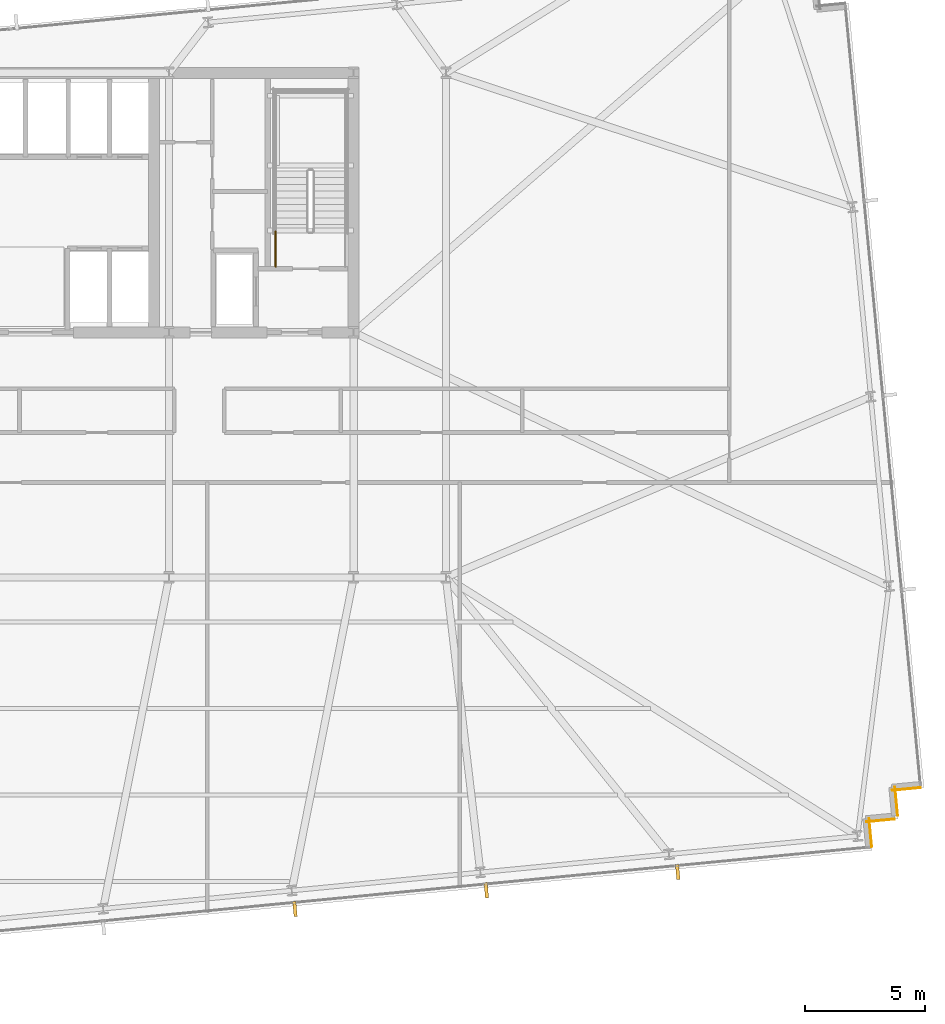
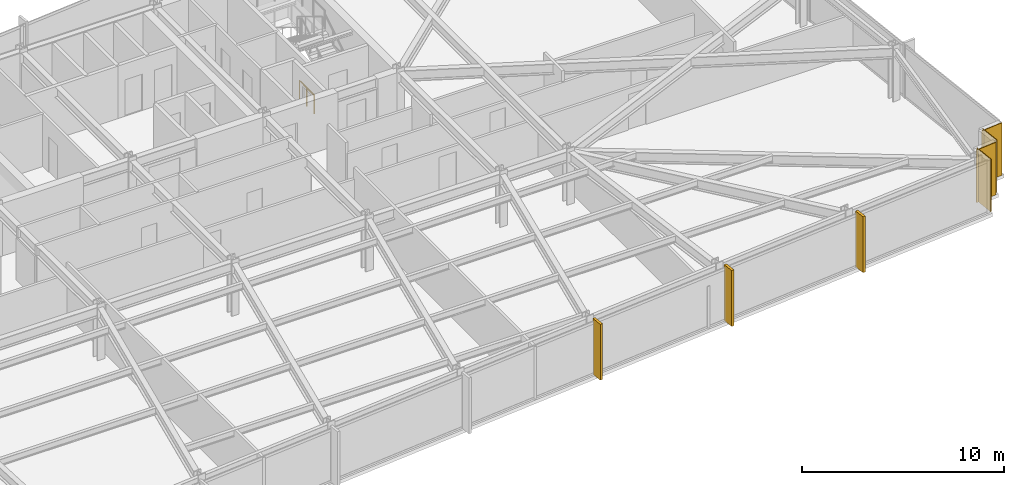
# One storey, part 29 of 32: 4 coverings, 3 shading devices, 1 railing.
"""IFC4 building model written with IfcOpenShell, lengths in metres."""

import ifcopenshell
import ifcopenshell.guid

model = None  # the IFC model being written
_history = None  # IfcOwnerHistory: only IFC2X3 demands one
_inside = {}  # id of a spatial element -> (the spatial element, [elements in it])
_under = {}  # id of a project, library or spatial element -> (it, [spatial elements below it])
_declared = {}  # id of a project -> (the project, [libraries it declares])
_typed = {}  # id of a type object -> (the type object, [elements of that type])
_made_of = {}  # id of a material, layer set ... -> (it, [elements and type objects made of it])


def new_model(schema):
    """Start an empty IFC model of exactly this schema.

    Asked for "IFC4X3", IfcOpenShell would pick the latest addendum, in which some entities
    have other attributes; the version numbers below select the first issue.
    IFC2X3 requires an IfcOwnerHistory on every rooted entity: one is made here for all.
    """
    global model, _history
    if schema == "IFC4X3":
        model = ifcopenshell.file(schema_version=(4, 3, 0, 0))
    else:
        model = ifcopenshell.file(schema=schema)
    _inside.clear()
    _under.clear()
    _declared.clear()
    _typed.clear()
    _made_of.clear()
    _history = None
    if model.schema == "IFC2X3":
        org = make("IfcOrganization", Name="unknown")
        user = make(
            "IfcPersonAndOrganization",
            ThePerson=make("IfcPerson", FamilyName="unknown"),
            TheOrganization=org,
        )
        app = make(
            "IfcApplication",
            ApplicationDeveloper=org,
            Version="unknown",
            ApplicationFullName="unknown",
            ApplicationIdentifier="unknown",
        )
        _history = make(
            "IfcOwnerHistory",
            OwningUser=user,
            OwningApplication=app,
            ChangeAction="ADDED",
            CreationDate=0,
        )
    return model


def make(cls, **values):
    """One entity of the class cls with the attributes given. An attribute that is None is left unset."""
    return model.create_entity(
        cls, **{name: value for name, value in values.items() if value is not None}
    )


def rooted(cls, **values):
    """An entity with a GlobalId (a new one), such as an element, a storey or a relation."""
    return make(cls, GlobalId=ifcopenshell.guid.new(), OwnerHistory=_history, **values)


def si_unit(unit_type, name, prefix=None):
    """IfcSIUnit, for example si_unit("LENGTHUNIT", "METRE", prefix="MILLI")."""
    return make("IfcSIUnit", UnitType=unit_type, Prefix=prefix, Name=name)


def assignment(units):
    """IfcUnitAssignment: the units of a project."""
    return None if units is None else make("IfcUnitAssignment", Units=units)


def point(xyz):
    """IfcCartesianPoint."""
    return None if xyz is None else make("IfcCartesianPoint", Coordinates=xyz)


def direction(xyz):
    """IfcDirection."""
    return None if xyz is None else make("IfcDirection", DirectionRatios=xyz)


def frame(location, z_axis=None, x_axis=None):
    """IfcAxis2Placement3D, a coordinate frame: its origin and axes. An axis left out is left unset."""
    return make(
        "IfcAxis2Placement3D",
        Location=point(location),
        Axis=direction(z_axis),
        RefDirection=direction(x_axis),
    )


def frame_2d(location, x_axis=None):
    """IfcAxis2Placement2D, a coordinate frame in the plane: its origin and x axis."""
    return make(
        "IfcAxis2Placement2D", Location=point(location), RefDirection=direction(x_axis)
    )


def origin():
    """The frame at (0, 0, 0) with its axes left unset."""
    return frame((0.0, 0.0, 0.0))


def origin_2d():
    """The frame at (0, 0) in the plane with its x axis left unset."""
    return frame_2d((0.0, 0.0))


def place(relative_to, where):
    """IfcLocalPlacement: puts the frame where relative to a parent placement (None: the world)."""
    return make(
        "IfcLocalPlacement", PlacementRelTo=relative_to, RelativePlacement=where
    )


def context(
    kind, dimensions, precision=None, world=None, true_north=None, identifier=None
):
    """IfcGeometricRepresentationContext, for example the 3D "Model" context."""
    return make(
        "IfcGeometricRepresentationContext",
        ContextIdentifier=identifier,
        ContextType=kind,
        CoordinateSpaceDimension=dimensions,
        Precision=precision,
        WorldCoordinateSystem=world,
        TrueNorth=true_north,
    )


def subcontext(parent, identifier, kind, view, scale=None):
    """IfcGeometricRepresentationSubContext, for example "Body" below "Model"."""
    return make(
        "IfcGeometricRepresentationSubContext",
        ContextIdentifier=identifier,
        ContextType=kind,
        ParentContext=parent,
        TargetScale=scale,
        TargetView=view,
    )


def project(units=None, contexts=None):
    """IfcProject with its units and contexts."""
    return rooted(
        "IfcProject",
        Name="project",
        RepresentationContexts=contexts,
        UnitsInContext=assignment(units),
    )


def spatial(cls, under=None, at=None, **own):
    """A site, building, storey or space (cls), placed at a placement, below another one or the project."""
    s = rooted(cls, ObjectPlacement=at, **own)
    if under is not None:
        _under.setdefault(under.id(), (under, []))[1].append(s)
    return s


def profile(cls, at=None, kind="AREA", **sizes):
    """A parametric profile (cls). Its sizes go by their IFC names, for example OverallWidth=200.0."""
    return make(cls, ProfileType=kind, Position=at, **sizes)


def rectangle(**sizes):
    """IfcRectangleProfileDef."""
    return profile("IfcRectangleProfileDef", **sizes)


def circle(**sizes):
    """IfcCircleProfileDef."""
    return profile("IfcCircleProfileDef", **sizes)


def extrude(swept, where, along, depth):
    """IfcExtrudedAreaSolid: the profile swept, set in the frame where, extruded along a direction by depth."""
    return make(
        "IfcExtrudedAreaSolid",
        SweptArea=swept,
        Position=where,
        ExtrudedDirection=direction(along),
        Depth=depth,
    )


def shape(context_of_items, identifier, shape_type, items):
    """IfcShapeRepresentation: the items that make up one representation, for example the "Body"."""
    return make(
        "IfcShapeRepresentation",
        ContextOfItems=context_of_items,
        RepresentationIdentifier=identifier,
        RepresentationType=shape_type,
        Items=items,
    )


def material(Name=None, Category=None):
    """IfcMaterial."""
    return make("IfcMaterial", Name=Name, Category=Category)


def layer(
    of_material, thickness, ventilated=None, Name=None, Category=None, Priority=None
):
    """IfcMaterialLayer: one layer of a wall or slab, of a material (None: an air gap)."""
    return make(
        "IfcMaterialLayer",
        Material=of_material,
        LayerThickness=thickness,
        IsVentilated=ventilated,
        Name=Name,
        Category=Category,
        Priority=Priority,
    )


def layer_set(layers, Name=None):
    """IfcMaterialLayerSet."""
    return make("IfcMaterialLayerSet", MaterialLayers=layers, LayerSetName=Name)


def made_of(thing, what):
    """Note that an element or type object is made of a material, layer set ...; save() writes the relation."""
    if what is not None:
        _made_of.setdefault(what.id(), (what, []))[1].append(thing)
    return thing


def type_object(cls, material=None, **own):
    """A type object (cls), such as IfcWallType, which elements share."""
    return made_of(rooted(cls, **own), material)


def element(
    cls,
    number,
    at=None,
    inside=None,
    cuts=None,
    type_object=None,
    material=None,
    context=None,
    identifier="Body",
    shape_type=None,
    held_by="IfcProductDefinitionShape",
    body=None,
    shapes=None,
    **own,
):
    """One element of the class cls, such as IfcWall. Its Tag is "e" and its number.

    at: its placement. inside: the storey or other place that contains it. cuts: it is an
    opening in that element (IfcRelVoidsElement). A single representation is given by context,
    identifier, shape_type and body (its items); several are given by shapes. held_by: the class
    of the entity that holds the representations. save() writes the other relations.
    """
    e = rooted(cls, Tag="e%d" % number, ObjectPlacement=at, **own)
    if body is not None:
        shapes = [shape(context, identifier, shape_type, body)]
    if shapes is not None:
        e.Representation = make(held_by, Representations=shapes)
    if inside is not None:
        _inside.setdefault(inside.id(), (inside, []))[1].append(e)
    if cuts is not None:
        rooted(
            "IfcRelVoidsElement", RelatingBuildingElement=cuts, RelatedOpeningElement=e
        )
    if type_object is not None:
        _typed.setdefault(type_object.id(), (type_object, []))[1].append(e)
    return made_of(e, material)


def aggregate(whole, parts):
    """IfcRelAggregates: a whole, such as a stair, and the parts it consists of."""
    return rooted("IfcRelAggregates", RelatingObject=whole, RelatedObjects=parts)


def save(model, path):
    """Write the relations noted so far, then the file.

    IfcRelAggregates (storeys below a building ...), IfcRelContainedInSpatialStructure (elements
    in a storey), IfcRelDefinesByType, IfcRelAssociatesMaterial and IfcRelDeclares: one each for
    every whole, place, type object, material and project.
    """
    for whole, parts in _under.values():
        aggregate(whole, parts)
    for where, things in _inside.values():
        rooted(
            "IfcRelContainedInSpatialStructure",
            RelatedElements=things,
            RelatingStructure=where,
        )
    for kind, things in _typed.values():
        rooted("IfcRelDefinesByType", RelatedObjects=things, RelatingType=kind)
    for what, things in _made_of.values():
        rooted("IfcRelAssociatesMaterial", RelatedObjects=things, RelatingMaterial=what)
    for by, libraries in _declared.values():
        rooted("IfcRelDeclares", RelatingContext=by, RelatedDefinitions=libraries)
    model.write(path)


model = new_model("IFC4")

# Units and contexts
model_context = context("Model", 3, precision=1e-05, world=origin(), true_north=direction((0.0, 1.0)))
body_context = subcontext(model_context, "Body", "Model", "MODEL_VIEW")
ifc_project = project(units=[si_unit("LENGTHUNIT", "METRE"), si_unit("AREAUNIT", "SQUARE_METRE"), si_unit("VOLUMEUNIT", "CUBIC_METRE"), si_unit("PLANEANGLEUNIT", "RADIAN"), si_unit("MASSUNIT", "GRAM", prefix="KILO")], contexts=[model_context])

# Site, building, storey
site_placement = place(None, origin())
site = spatial("IfcSite", under=ifc_project, at=site_placement, CompositionType="ELEMENT")
building_placement = place(site_placement, origin())
building = spatial("IfcBuilding", under=site, at=building_placement, Name="Yelkora Congress Tower", CompositionType="ELEMENT")
storey_placement = place(building_placement, frame((0.0, 0.0, 113.5)))
storey = spatial("IfcBuildingStorey", under=building, at=storey_placement, Name="L30", CompositionType="ELEMENT", Elevation=113.5)

# Coverings
ifc_material_1 = material(Name="Anatolian bush-hammered limestone", Category="masonry")
ifc_layer_1 = layer(ifc_material_1, 0.0400390625)
ifc_layer_set_1 = layer_set([ifc_layer_1], Name="Anatolian bush-hammered limestone")
covering_type = type_object("IfcCoveringType", Name="COV-CLAD-SPANDREL-40", PredefinedType="CLADDING", material=ifc_layer_set_1)
for number, where, z_axis, x_axis, name in (
    (1, (77.360595703125, 16.451416015625, 0.0), (0.0, 0.0, 1.0), (-0.995377661201, -0.096038073607, 0.0), "L30 Anatolian Limestone Cladding EW-L30-SR16"),
    (2, (76.28759765625, 16.483642578125, 0.0), (0.0, 0.0, 1.0), (0.095836473879, -0.995397091755, 0.0), "L30 Anatolian Limestone Cladding EW-L30-SR17"),
    (3, (76.28125, 15.141845703125, 0.0), (0.0, 0.0, 1.0), (-0.995397091755, -0.095836473879, 0.0), "L30 Anatolian Limestone Cladding EW-L30-SR18"),
):
    element("IfcCovering", number, at=place(storey_placement, frame(where, z_axis=z_axis, x_axis=x_axis)), inside=storey, type_object=covering_type, Name=name, PredefinedType="CLADDING", context=body_context, shape_type="SweptSolid", body=[
        extrude(rectangle(XDim=1.199951171875, YDim=0.0400390625, at=frame_2d((0.60009765625, 0.0))), origin(), (0.0, 0.0, 1.0), 3.179931640625),
    ])
covering_placement = place(storey_placement, frame((75.208251953125, 15.17431640625, 0.0), z_axis=(0.0, 0.0, 1.0), x_axis=(0.095817067274, -0.995398960025, 0.0)))
element("IfcCovering", 4, at=covering_placement, inside=storey, type_object=covering_type, Name="L30 Anatolian Limestone Cladding EW-L30-SR19", PredefinedType="CLADDING", context=body_context, shape_type="SweptSolid", body=[
    extrude(rectangle(XDim=1.2001953125, YDim=0.0400390625, at=frame_2d((0.60009765625, 0.0))), origin(), (0.0, 0.0, 1.0), 3.179931640625),
])

# Railing
ifc_material_2 = material(Name="Painted galvanised steel stair well guard with vertical infill", Category="steel")
ifc_layer_2 = layer(ifc_material_2, 0.06005859375)
ifc_layer_set_2 = layer_set([ifc_layer_2], Name="Painted galvanised steel stair well guard with vertical infill")
railing_type = type_object("IfcRailingType", Name="RAIL-STAIR-GUARD-1120", PredefinedType="GUARDRAIL", material=ifc_layer_set_2)
railing_placement = place(storey_placement, frame((50.510009765625, 38.1201171875, 0.0)))
element("IfcRailing", 5, at=railing_placement, inside=storey, type_object=railing_type, Name="ST-02 L30 Stair Well Guardrail 9", PredefinedType="GUARDRAIL", context=body_context, shape_type="SweptSolid", body=[
    extrude(circle(Radius=0.02392578125, at=origin_2d()), frame((0.0, 0.0, 1.09619140625), z_axis=(0.0, 1.0, 0.0), x_axis=(-1.0, 0.0, 0.0)), (0.0, 0.0, 1.0), 1.47998046875),
    extrude(circle(Radius=0.02099609375, at=origin_2d()), origin(), (0.0, 0.0, 1.0), 1.072021484375),
    extrude(circle(Radius=0.02099609375, at=origin_2d()), frame((0.0, 0.739990234375, 0.0)), (0.0, 0.0, 1.0), 1.072021484375),
    extrude(circle(Radius=0.02099609375, at=origin_2d()), frame((0.0, 1.47998046875, 0.0)), (0.0, 0.0, 1.0), 1.072021484375),
])

# Shading devices
ifc_material_3 = material(Name="Champagne anodised aluminium", Category="aluminium")
ifc_layer_3 = layer(ifc_material_3, 3.39990234375)
ifc_layer_set_3 = layer_set([ifc_layer_3], Name="Champagne anodised aluminium")
shading_device_type = type_object("IfcShadingDeviceType", Name="SHD-FIN-ALU-640", PredefinedType="USERDEFINED", material=ifc_layer_set_3)
for number, where, z_axis, x_axis, name in (
    (6, (67.247802734375, 12.94091796875, -0.030029296875), (0.0, 0.0, 1.0), (-0.995396198367, -0.09584575252, 0.0), "L30 Vertical Anodised Solar Fin 20-1"),
    (7, (59.28173828125, 12.173828125, -0.030029296875), (0.0, 0.0, 1.0), (-0.995396198367, -0.09584575252, 0.0), "L30 Vertical Anodised Solar Fin 20-2"),
    (8, (51.315673828125, 11.40673828125, -0.030029296875), (0.0, 0.0, 1.0), (-0.995396198367, -0.09584575252, 0.0), "L30 Vertical Anodised Solar Fin 20-3"),
):
    element("IfcShadingDevice", number, at=place(storey_placement, frame(where, z_axis=z_axis, x_axis=x_axis)), inside=storey, type_object=shading_device_type, Name=name, ObjectType="FIN", PredefinedType="USERDEFINED", context=body_context, shape_type="SweptSolid", body=[
        extrude(rectangle(XDim=0.139892578125, YDim=0.639892578125, at=origin_2d()), origin(), (0.0, 0.0, 1.0), 3.3798828125),
    ])

save(model, "model.ifc")
